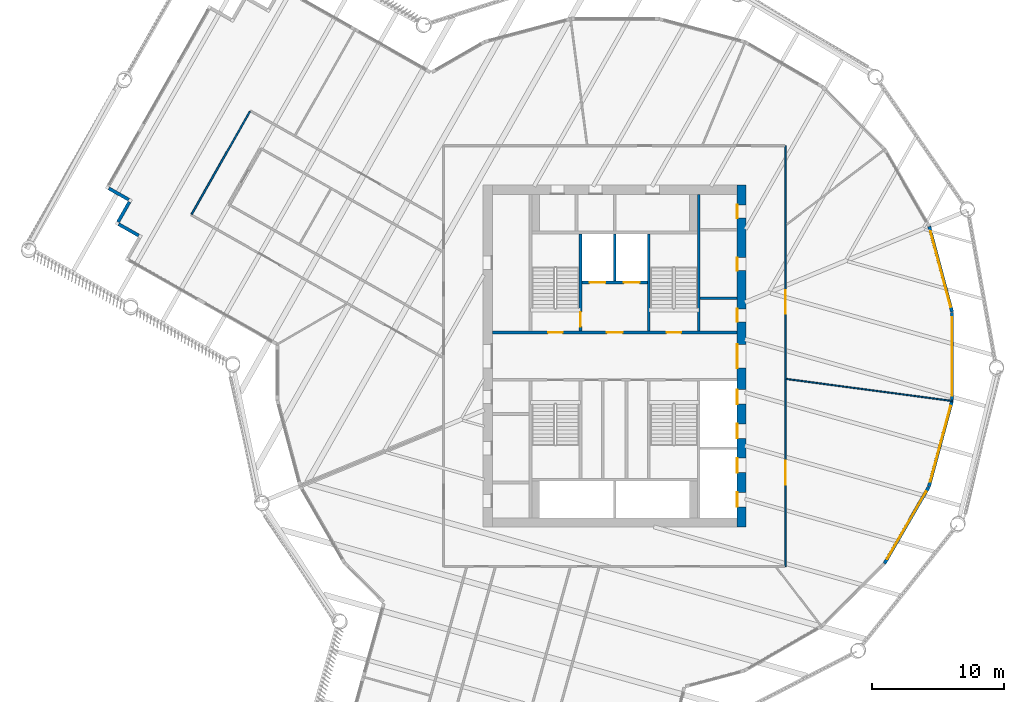
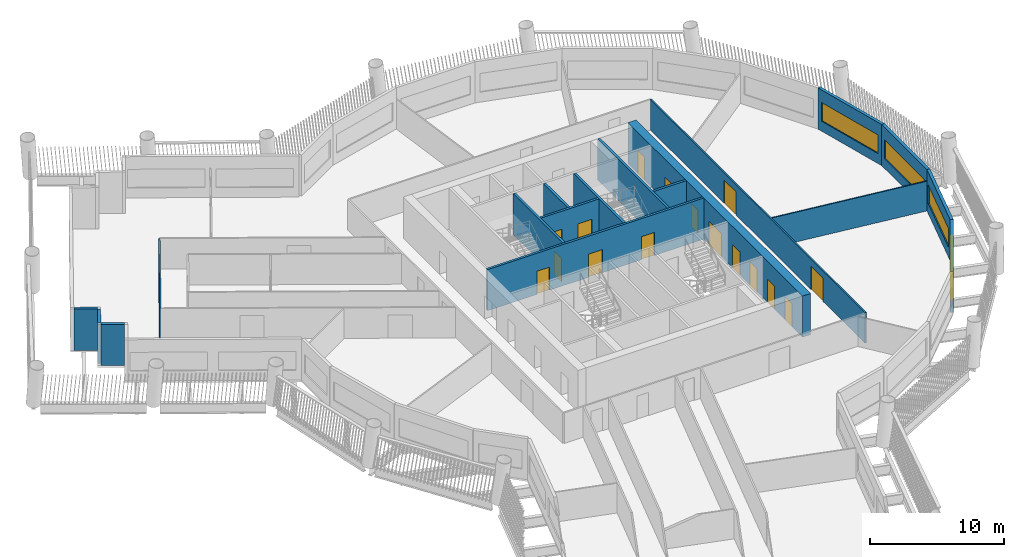
# One storey, part 5 of 15: 18 walls, 16 doors, 4 windows, 20 openings.
"""IFC4 building model written with IfcOpenShell, lengths in metres."""

from ifc_helpers import new_model, si_unit, direction, frame, frame_2d, origin, place, context, subcontext, project, spatial, rectangle, extrude, material, layer, layer_set, type_object, element, fill, save


model = new_model("IFC4")

# Units and contexts
model_context = context("Model", 3, precision=1e-05, world=origin(), true_north=direction((0.0, 1.0)))
body_context = subcontext(model_context, "Body", "Model", "MODEL_VIEW")
ifc_project = project(units=[si_unit("LENGTHUNIT", "METRE"), si_unit("AREAUNIT", "SQUARE_METRE"), si_unit("VOLUMEUNIT", "CUBIC_METRE"), si_unit("PLANEANGLEUNIT", "RADIAN"), si_unit("MASSUNIT", "GRAM", prefix="KILO")], contexts=[model_context])

# Site, building, storey
site_placement = place(None, origin())
site = spatial("IfcSite", under=ifc_project, at=site_placement, CompositionType="ELEMENT")
building_placement = place(site_placement, origin())
building = spatial("IfcBuilding", under=site, at=building_placement, Name="Tarsis Ring Headquarters", CompositionType="ELEMENT")
storey_placement = place(building_placement, frame((0.0, 0.0, 159.300048828125)))
storey = spatial("IfcBuildingStorey", under=building, at=storey_placement, Name="L36", CompositionType="ELEMENT", Elevation=159.300048828125)

# Wall
ifc_material_1 = material(Name="Blockwork", Category="masonry")
ifc_layer_1 = layer(ifc_material_1, 0.199951171875)
ifc_layer_set_1 = layer_set([ifc_layer_1], Name="Core blockwork wall 200")
wall_type_1 = type_object("IfcWallType", Name="Core blockwork wall 200", PredefinedType="PARTITIONING", material=ifc_layer_set_1)
wall_1_placement = place(storey_placement, frame((6.5, 4.39990234375, 0.0), z_axis=(0.0, 0.0, 1.0), x_axis=(1.0, 0.0, 0.0)))
element("IfcWall", 1, at=wall_1_placement, inside=storey, type_object=wall_type_1, Name="Core partition ED5", PredefinedType="PARTITIONING", context=body_context, shape_type="SweptSolid", body=[
    extrude(rectangle(XDim=2.800048828125, YDim=0.199951171875, at=frame_2d((1.39990234375, 0.0))), origin(), (0.0, 0.0, 1.0), 3.739990234375),
])

# Wall, openings, doors
ifc_material_2 = material(Name="Concrete C60/75", Category="concrete")
ifc_layer_2 = layer(ifc_material_2, 0.699951171875)
ifc_layer_set_2 = layer_set([ifc_layer_2], Name="Core wall 700 C60/75")
wall_type_2 = type_object("IfcWallType", Name="Core wall 700 C60/75", PredefinedType="SHEAR", material=ifc_layer_set_2)
wall_2_placement = place(storey_placement, frame((9.64990234375, -13.0, 0.0), z_axis=(0.0, 0.0, 1.0), x_axis=(0.0, 1.0, 0.0)))
wall_2 = element("IfcWall", 2, at=wall_2_placement, inside=storey, type_object=wall_type_2, Name="Core wall OE", PredefinedType="SHEAR", context=body_context, shape_type="SweptSolid", body=[
    extrude(rectangle(XDim=26.0, YDim=0.699951171875, at=frame_2d((13.0, 0.0))), origin(), (0.0, 0.0, 1.0), 3.739990234375),
])
opening_1_placement = place(wall_2_placement, frame((1.550048828125, 0.0, 0.0)))
opening_1 = element("IfcOpeningElement", 3, at=opening_1_placement, cuts=wall_2, Name="Opening LD-MR1", PredefinedType="OPENING", context=body_context, shape_type="SweptSolid", body=[
    extrude(rectangle(XDim=1.10009765625, YDim=2.10009765625, at=frame_2d((0.550048828125, 1.050048828125))), frame((0.0, 0.35986328125, 0.0), z_axis=(0.0, -1.0, 0.0), x_axis=(1.0, 0.0, 0.0)), (0.0, 0.0, 1.0), 0.719970703125),
])
opening_2_placement = place(wall_2_placement, frame((4.14990234375, 0.0, 0.0)))
opening_2 = element("IfcOpeningElement", 4, at=opening_2_placement, cuts=wall_2, Name="Opening LD-MR2", PredefinedType="OPENING", context=body_context, shape_type="SweptSolid", body=[
    extrude(rectangle(XDim=1.10009765625, YDim=2.10009765625, at=frame_2d((0.550048828125, 1.050048828125))), frame((0.0, 0.35986328125, 0.0), z_axis=(0.0, -1.0, 0.0), x_axis=(1.0, 0.0, 0.0)), (0.0, 0.0, 1.0), 0.719970703125),
])
opening_3_placement = place(wall_2_placement, frame((6.75, 0.0, 0.0)))
opening_3 = element("IfcOpeningElement", 5, at=opening_3_placement, cuts=wall_2, Name="Opening LD-MR3", PredefinedType="OPENING", context=body_context, shape_type="SweptSolid", body=[
    extrude(rectangle(XDim=1.10009765625, YDim=2.10009765625, at=frame_2d((0.550048828125, 1.050048828125))), frame((0.0, 0.35986328125, 0.0), z_axis=(0.0, -1.0, 0.0), x_axis=(1.0, 0.0, 0.0)), (0.0, 0.0, 1.0), 0.719970703125),
])
opening_4_placement = place(wall_2_placement, frame((9.35009765625, 0.0, 0.0)))
opening_4 = element("IfcOpeningElement", 6, at=opening_4_placement, cuts=wall_2, Name="Opening LD-MR4", PredefinedType="OPENING", context=body_context, shape_type="SweptSolid", body=[
    extrude(rectangle(XDim=1.10009765625, YDim=2.10009765625, at=frame_2d((0.550048828125, 1.050048828125))), frame((0.0, 0.35986328125, 0.0), z_axis=(0.0, -1.0, 0.0), x_axis=(1.0, 0.0, 0.0)), (0.0, 0.0, 1.0), 0.719970703125),
])
opening_5_placement = place(wall_2_placement, frame((12.10009765625, 0.0, 0.0)))
opening_5 = element("IfcOpeningElement", 7, at=opening_5_placement, cuts=wall_2, Name="Opening L36-C10", PredefinedType="OPENING", context=body_context, shape_type="SweptSolid", body=[
    extrude(rectangle(XDim=1.800048828125, YDim=2.10009765625, at=frame_2d((0.89990234375, 1.050048828125))), frame((0.0, 0.35986328125, 0.0), z_axis=(0.0, -1.0, 0.0), x_axis=(1.0, 0.0, 0.0)), (0.0, 0.0, 1.0), 0.719970703125),
])
opening_6_placement = place(wall_2_placement, frame((15.60009765625, 0.0, 0.0)))
opening_6 = element("IfcOpeningElement", 8, at=opening_6_placement, cuts=wall_2, Name="Opening L36-C11", PredefinedType="OPENING", context=body_context, shape_type="SweptSolid", body=[
    extrude(rectangle(XDim=1.0, YDim=2.10009765625, at=frame_2d((0.5, 1.050048828125))), frame((0.0, 0.35986328125, 0.0), z_axis=(0.0, -1.0, 0.0), x_axis=(1.0, 0.0, 0.0)), (0.0, 0.0, 1.0), 0.719970703125),
])
opening_7_placement = place(wall_2_placement, frame((19.5, 0.0, 0.0)))
opening_7 = element("IfcOpeningElement", 9, at=opening_7_placement, cuts=wall_2, Name="Opening L36-C12", PredefinedType="OPENING", context=body_context, shape_type="SweptSolid", body=[
    extrude(rectangle(XDim=1.0, YDim=2.10009765625, at=frame_2d((0.5, 1.050048828125))), frame((0.0, 0.35986328125, 0.0), z_axis=(0.0, -1.0, 0.0), x_axis=(1.0, 0.0, 0.0)), (0.0, 0.0, 1.0), 0.719970703125),
])
opening_8_placement = place(wall_2_placement, frame((23.5, 0.0, 0.0)))
opening_8 = element("IfcOpeningElement", 10, at=opening_8_placement, cuts=wall_2, Name="Opening L36-C13", PredefinedType="OPENING", context=body_context, shape_type="SweptSolid", body=[
    extrude(rectangle(XDim=1.0, YDim=2.10009765625, at=frame_2d((0.5, 1.050048828125))), frame((0.0, 0.35986328125, 0.0), z_axis=(0.0, -1.0, 0.0), x_axis=(1.0, 0.0, 0.0)), (0.0, 0.0, 1.0), 0.719970703125),
])
ifc_material_3 = material(Name="Steel S355", Category="steel")
door_type_1 = type_object("IfcDoorType", Name="Core entry door 1800x2100", OperationType="DOUBLE_DOOR_SINGLE_SWING", PredefinedType="DOOR", material=ifc_material_3)
door_1_placement = place(opening_5_placement, origin())
door_1 = element("IfcDoor", 11, at=door_1_placement, inside=storey, type_object=door_type_1, Name="Core entry door L36", OperationType="DOUBLE_DOOR_SINGLE_SWING", OverallHeight=2.10009765625, OverallWidth=1.800048828125, PredefinedType="DOOR", context=body_context, shape_type="SweptSolid", body=[
    extrude(rectangle(XDim=1.800048828125, YDim=2.10009765625, at=frame_2d((0.89990234375, 1.050048828125))), frame((0.0, 0.35009765625, 0.0), z_axis=(0.0, -1.0, 0.0), x_axis=(1.0, 0.0, 0.0)), (0.0, 0.0, 1.0), 0.050048828125),
])
fill(opening_5, door_1)
door_type_2 = type_object("IfcDoorType", Name="Core room door 1000x2100", OperationType="SINGLE_SWING_LEFT", PredefinedType="DOOR", material=ifc_material_3)
door_2_placement = place(opening_6_placement, origin())
door_2 = element("IfcDoor", 12, at=door_2_placement, inside=storey, type_object=door_type_2, Name="Core room door L36", OperationType="SINGLE_SWING_LEFT", OverallHeight=2.10009765625, OverallWidth=1.0, PredefinedType="DOOR", context=body_context, shape_type="SweptSolid", body=[
    extrude(rectangle(XDim=1.0, YDim=2.10009765625, at=frame_2d((0.5, 1.050048828125))), frame((0.0, 0.35009765625, 0.0), z_axis=(0.0, -1.0, 0.0), x_axis=(1.0, 0.0, 0.0)), (0.0, 0.0, 1.0), 0.050048828125),
])
fill(opening_6, door_2)
door_3_placement = place(opening_7_placement, origin())
door_3 = element("IfcDoor", 13, at=door_3_placement, inside=storey, type_object=door_type_2, Name="Core room door L36", OperationType="SINGLE_SWING_LEFT", OverallHeight=2.10009765625, OverallWidth=1.0, PredefinedType="DOOR", context=body_context, shape_type="SweptSolid", body=[
    extrude(rectangle(XDim=1.0, YDim=2.10009765625, at=frame_2d((0.5, 1.050048828125))), frame((0.0, 0.35009765625, 0.0), z_axis=(0.0, -1.0, 0.0), x_axis=(1.0, 0.0, 0.0)), (0.0, 0.0, 1.0), 0.050048828125),
])
fill(opening_7, door_3)
door_4_placement = place(opening_8_placement, origin())
door_4 = element("IfcDoor", 14, at=door_4_placement, inside=storey, type_object=door_type_2, Name="Core room door L36", OperationType="SINGLE_SWING_LEFT", OverallHeight=2.10009765625, OverallWidth=1.0, PredefinedType="DOOR", context=body_context, shape_type="SweptSolid", body=[
    extrude(rectangle(XDim=1.0, YDim=2.10009765625, at=frame_2d((0.5, 1.050048828125))), frame((0.0, 0.35009765625, 0.0), z_axis=(0.0, -1.0, 0.0), x_axis=(1.0, 0.0, 0.0)), (0.0, 0.0, 1.0), 0.050048828125),
])
fill(opening_8, door_4)
door_type_3 = type_object("IfcDoorType", Name="Landing door 1100x2100", OperationType="SLIDING_TO_LEFT", PredefinedType="DOOR", material=ifc_material_3)
door_5_placement = place(opening_1_placement, origin())
door_5 = element("IfcDoor", 15, at=door_5_placement, inside=storey, type_object=door_type_3, Name="Landing door MR1 L36", OperationType="SLIDING_TO_LEFT", OverallHeight=2.10009765625, OverallWidth=1.10009765625, PredefinedType="DOOR", context=body_context, shape_type="SweptSolid", body=[
    extrude(rectangle(XDim=1.10009765625, YDim=2.10009765625, at=frame_2d((0.550048828125, 1.050048828125))), frame((0.0, 0.35009765625, 0.0), z_axis=(0.0, -1.0, 0.0), x_axis=(1.0, 0.0, 0.0)), (0.0, 0.0, 1.0), 0.050048828125),
])
fill(opening_1, door_5)
door_6_placement = place(opening_2_placement, origin())
door_6 = element("IfcDoor", 16, at=door_6_placement, inside=storey, type_object=door_type_3, Name="Landing door MR2 L36", OperationType="SLIDING_TO_LEFT", OverallHeight=2.10009765625, OverallWidth=1.10009765625, PredefinedType="DOOR", context=body_context, shape_type="SweptSolid", body=[
    extrude(rectangle(XDim=1.10009765625, YDim=2.10009765625, at=frame_2d((0.550048828125, 1.050048828125))), frame((0.0, 0.35009765625, 0.0), z_axis=(0.0, -1.0, 0.0), x_axis=(1.0, 0.0, 0.0)), (0.0, 0.0, 1.0), 0.050048828125),
])
fill(opening_2, door_6)
door_7_placement = place(opening_3_placement, origin())
door_7 = element("IfcDoor", 17, at=door_7_placement, inside=storey, type_object=door_type_3, Name="Landing door MR3 L36", OperationType="SLIDING_TO_LEFT", OverallHeight=2.10009765625, OverallWidth=1.10009765625, PredefinedType="DOOR", context=body_context, shape_type="SweptSolid", body=[
    extrude(rectangle(XDim=1.10009765625, YDim=2.10009765625, at=frame_2d((0.550048828125, 1.050048828125))), frame((0.0, 0.35009765625, 0.0), z_axis=(0.0, -1.0, 0.0), x_axis=(1.0, 0.0, 0.0)), (0.0, 0.0, 1.0), 0.050048828125),
])
fill(opening_3, door_7)
door_8_placement = place(opening_4_placement, origin())
door_8 = element("IfcDoor", 18, at=door_8_placement, inside=storey, type_object=door_type_3, Name="Landing door MR4 L36", OperationType="SLIDING_TO_LEFT", OverallHeight=2.10009765625, OverallWidth=1.10009765625, PredefinedType="DOOR", context=body_context, shape_type="SweptSolid", body=[
    extrude(rectangle(XDim=1.10009765625, YDim=2.10009765625, at=frame_2d((0.550048828125, 1.050048828125))), frame((0.0, 0.35009765625, 0.0), z_axis=(0.0, -1.0, 0.0), x_axis=(1.0, 0.0, 0.0)), (0.0, 0.0, 1.0), 0.050048828125),
])
fill(opening_4, door_8)

# Wall
ifc_material_4 = material(Name="Gypsum board on steel studs", Category="steel")
ifc_layer_3 = layer(ifc_material_4, 0.10009765625)
ifc_layer_set_3 = layer_set([ifc_layer_3], Name="FL partition 100 unrated")
wall_type_3 = type_object("IfcWallType", Name="FL partition 100 unrated", PredefinedType="PARTITIONING", material=ifc_layer_set_3)
wall_3_placement = place(storey_placement, frame((13.0693359375, -1.734619140625, 0.0), z_axis=(0.0, 0.0, 1.0), x_axis=(0.991308567553, -0.131557302711, 0.0)))
element("IfcWall", 19, at=wall_3_placement, inside=storey, type_object=wall_type_3, Name="Partition PW3", PredefinedType="PARTITIONING", context=body_context, shape_type="SweptSolid", body=[
    extrude(rectangle(XDim=12.763916015625, YDim=0.10009765625, at=frame_2d((6.3818359375, 0.0))), origin(), (0.0, 0.0, 1.0), 2.699951171875),
])

# Wall, openings, doors
ifc_layer_4 = layer(ifc_material_4, 0.125)
ifc_layer_set_4 = layer_set([ifc_layer_4], Name="FL partition 125 EI 60 H2770")
wall_type_4 = type_object("IfcWallType", Name="FL partition 125 EI 60 H2770", PredefinedType="PARTITIONING", material=ifc_layer_set_4)
wall_4_placement = place(storey_placement, frame((13.0, -16.0, 0.0), z_axis=(0.0, 0.0, 1.0), x_axis=(0.0, 1.0, 0.0)))
wall_4 = element("IfcWall", 20, at=wall_4_placement, inside=storey, type_object=wall_type_4, Name="Partition PW1", PredefinedType="PARTITIONING", context=body_context, shape_type="SweptSolid", body=[
    extrude(rectangle(XDim=32.0, YDim=0.125, at=frame_2d((16.0, 0.0))), origin(), (0.0, 0.0, 1.0), 2.77001953125),
])
opening_9_placement = place(wall_4_placement, frame((19.214111328125, 0.0, 0.0)))
opening_9 = element("IfcOpeningElement", 21, at=opening_9_placement, cuts=wall_4, Name="Opening D36.05", PredefinedType="OPENING", context=body_context, shape_type="SweptSolid", body=[
    extrude(rectangle(XDim=1.800048828125, YDim=2.10009765625, at=frame_2d((0.89990234375, 1.050048828125))), frame((0.0, 0.072509765625, 0.0), z_axis=(0.0, -1.0, 0.0), x_axis=(1.0, 0.0, 0.0)), (0.0, 0.0, 1.0), 0.14501953125),
])
opening_10_placement = place(wall_4_placement, frame((6.2373046875, 0.0, 0.0)))
opening_10 = element("IfcOpeningElement", 22, at=opening_10_placement, cuts=wall_4, Name="Opening D36.06", PredefinedType="OPENING", context=body_context, shape_type="SweptSolid", body=[
    extrude(rectangle(XDim=1.800048828125, YDim=2.10009765625, at=frame_2d((0.89990234375, 1.050048828125))), frame((0.0, 0.072509765625, 0.0), z_axis=(0.0, -1.0, 0.0), x_axis=(1.0, 0.0, 0.0)), (0.0, 0.0, 1.0), 0.14501953125),
])
ifc_material_5 = material(Name="Fire-rated timber door leaf in steel frame", Category="steel")
door_type_4 = type_object("IfcDoorType", Name="FL door FD60-1800", OperationType="DOUBLE_DOOR_SINGLE_SWING", PredefinedType="DOOR", material=ifc_material_5)
door_9_placement = place(opening_9_placement, origin())
door_9 = element("IfcDoor", 23, at=door_9_placement, inside=storey, type_object=door_type_4, Name="Door D36.05", OperationType="DOUBLE_DOOR_SINGLE_SWING", OverallHeight=2.10009765625, OverallWidth=1.800048828125, PredefinedType="DOOR", context=body_context, shape_type="SweptSolid", body=[
    extrude(rectangle(XDim=1.800048828125, YDim=2.10009765625, at=frame_2d((0.89990234375, 1.050048828125))), frame((0.0, 0.02490234375, 0.0), z_axis=(0.0, -1.0, 0.0), x_axis=(1.0, 0.0, 0.0)), (0.0, 0.0, 1.0), 0.050048828125),
])
fill(opening_9, door_9)
door_10_placement = place(opening_10_placement, origin())
door_10 = element("IfcDoor", 24, at=door_10_placement, inside=storey, type_object=door_type_4, Name="Door D36.06", OperationType="DOUBLE_DOOR_SINGLE_SWING", OverallHeight=2.10009765625, OverallWidth=1.800048828125, PredefinedType="DOOR", context=body_context, shape_type="SweptSolid", body=[
    extrude(rectangle(XDim=1.800048828125, YDim=2.10009765625, at=frame_2d((0.89990234375, 1.050048828125))), frame((0.0, 0.02490234375, 0.0), z_axis=(0.0, -1.0, 0.0), x_axis=(1.0, 0.0, 0.0)), (0.0, 0.0, 1.0), 0.050048828125),
])
fill(opening_10, door_10)

# Wall
wall_5_placement = place(storey_placement, frame((-32.16259765625, 10.79150390625, 0.0), z_axis=(0.0, 0.0, 1.0), x_axis=(0.493343175819, 0.869834760672, 0.0)))
element("IfcWall", 25, at=wall_5_placement, inside=storey, type_object=wall_type_4, Name="Partition PW1", PredefinedType="PARTITIONING", context=body_context, shape_type="SweptSolid", body=[
    extrude(rectangle(XDim=8.97998046875, YDim=0.125, at=frame_2d((4.489990234375, 0.0))), origin(), (0.0, 0.0, 1.0), 2.77001953125),
])

# Wall, opening, window
ifc_material_6 = material(Name="Terracotta clad insulated panel wall", Category="masonry")
ifc_layer_5 = layer(ifc_material_6, 0.25)
ifc_layer_set_5 = layer_set([ifc_layer_5], Name="Facade wall terracotta panel 250")
wall_type_5 = type_object("IfcWallType", Name="Facade wall terracotta panel 250", PredefinedType="STANDARD", material=ifc_layer_set_5)
wall_6_placement = place(storey_placement, frame((20.518798828125, -15.75830078125, 0.0), z_axis=(0.0, 0.0, 1.0), x_axis=(0.500907407171, 0.865500877782, 0.0)))
wall_6 = element("IfcWall", 26, at=wall_6_placement, inside=storey, type_object=wall_type_5, Name="External wall L36-20", PredefinedType="STANDARD", context=body_context, shape_type="SweptSolid", body=[
    extrude(rectangle(XDim=6.7216796875, YDim=0.25, at=frame_2d((3.36083984375, 0.0))), origin(), (0.0, 0.0, 1.0), 3.739990234375),
])
opening_11_placement = place(wall_6_placement, frame((0.3857421875, 0.0, 0.89990234375)))
opening_11 = element("IfcOpeningElement", 27, at=opening_11_placement, cuts=wall_6, Name="Opening WN07", PredefinedType="OPENING", context=body_context, shape_type="SweptSolid", body=[
    extrude(rectangle(XDim=5.949951171875, YDim=1.699951171875, at=frame_2d((2.97509765625, 0.85009765625))), frame((0.0, 0.135009765625, 0.0), z_axis=(0.0, -1.0, 0.0), x_axis=(1.0, 0.0, 0.0)), (0.0, 0.0, 1.0), 0.27001953125),
])
ifc_material_7 = material(Name="Aluminium framed double glazing", Category="aluminium")
window_type = type_object("IfcWindowType", Name="Facade window 5950 x 1700", PartitioningType="SINGLE_PANEL", PredefinedType="WINDOW", material=ifc_material_7)
window_1_placement = place(opening_11_placement, origin())
window_1 = element("IfcWindow", 28, at=window_1_placement, inside=storey, type_object=window_type, Name="Window L36-20.1", OverallHeight=1.699951171875, OverallWidth=5.949951171875, PartitioningType="SINGLE_PANEL", PredefinedType="WINDOW", context=body_context, shape_type="SweptSolid", body=[
    extrude(rectangle(XDim=5.949951171875, YDim=1.699951171875, at=frame_2d((2.97509765625, 0.85009765625))), frame((0.0, 0.030029296875, 0.0), z_axis=(0.0, -1.0, 0.0), x_axis=(1.0, 0.0, 0.0)), (0.0, 0.0, 1.0), 0.06005859375),
])
fill(opening_11, window_1)

wall_7_placement = place(storey_placement, frame((23.898193359375, -9.91064453125, 0.0), z_axis=(0.0, 0.0, 1.0), x_axis=(0.259845819002, 0.965650117976, 0.0)))
wall_7 = element("IfcWall", 29, at=wall_7_placement, inside=storey, type_object=wall_type_5, Name="External wall L36-21", PredefinedType="STANDARD", context=body_context, shape_type="SweptSolid", body=[
    extrude(rectangle(XDim=6.7216796875, YDim=0.25, at=frame_2d((3.36083984375, 0.0))), origin(), (0.0, 0.0, 1.0), 3.739990234375),
])
opening_12_placement = place(wall_7_placement, frame((0.3857421875, 0.0, 0.89990234375)))
opening_12 = element("IfcOpeningElement", 30, at=opening_12_placement, cuts=wall_7, Name="Opening WN07", PredefinedType="OPENING", context=body_context, shape_type="SweptSolid", body=[
    extrude(rectangle(XDim=5.949951171875, YDim=1.699951171875, at=frame_2d((2.97509765625, 0.85009765625))), frame((0.0, 0.135009765625, 0.0), z_axis=(0.0, -1.0, 0.0), x_axis=(1.0, 0.0, 0.0)), (0.0, 0.0, 1.0), 0.27001953125),
])
window_2_placement = place(opening_12_placement, origin())
window_2 = element("IfcWindow", 31, at=window_2_placement, inside=storey, type_object=window_type, Name="Window L36-21.1", OverallHeight=1.699951171875, OverallWidth=5.949951171875, PartitioningType="SINGLE_PANEL", PredefinedType="WINDOW", context=body_context, shape_type="SweptSolid", body=[
    extrude(rectangle(XDim=5.949951171875, YDim=1.699951171875, at=frame_2d((2.97509765625, 0.85009765625))), frame((0.0, 0.030029296875, 0.0), z_axis=(0.0, -1.0, 0.0), x_axis=(1.0, 0.0, 0.0)), (0.0, 0.0, 1.0), 0.06005859375),
])
fill(opening_12, window_2)

wall_8_placement = place(storey_placement, frame((25.64892578125, -3.3876953125, 0.0), z_axis=(0.0, 0.0, 1.0), x_axis=(0.001053319189, 0.999999445259, 0.0)))
wall_8 = element("IfcWall", 32, at=wall_8_placement, inside=storey, type_object=wall_type_5, Name="External wall L36-22", PredefinedType="STANDARD", context=body_context, shape_type="SweptSolid", body=[
    extrude(rectangle(XDim=6.7216796875, YDim=0.25, at=frame_2d((3.36083984375, 0.0))), origin(), (0.0, 0.0, 1.0), 3.739990234375),
])
opening_13_placement = place(wall_8_placement, frame((0.3857421875, 0.0, 0.89990234375)))
opening_13 = element("IfcOpeningElement", 33, at=opening_13_placement, cuts=wall_8, Name="Opening WN07", PredefinedType="OPENING", context=body_context, shape_type="SweptSolid", body=[
    extrude(rectangle(XDim=5.949951171875, YDim=1.699951171875, at=frame_2d((2.97509765625, 0.85009765625))), frame((0.0, 0.135009765625, 0.0), z_axis=(0.0, -1.0, 0.0), x_axis=(1.0, 0.0, 0.0)), (0.0, 0.0, 1.0), 0.27001953125),
])
window_3_placement = place(opening_13_placement, origin())
window_3 = element("IfcWindow", 34, at=window_3_placement, inside=storey, type_object=window_type, Name="Window L36-22.1", OverallHeight=1.699951171875, OverallWidth=5.949951171875, PartitioningType="SINGLE_PANEL", PredefinedType="WINDOW", context=body_context, shape_type="SweptSolid", body=[
    extrude(rectangle(XDim=5.949951171875, YDim=1.699951171875, at=frame_2d((2.97509765625, 0.85009765625))), frame((0.0, 0.030029296875, 0.0), z_axis=(0.0, -1.0, 0.0), x_axis=(1.0, 0.0, 0.0)), (0.0, 0.0, 1.0), 0.06005859375),
])
fill(opening_13, window_3)

wall_9_placement = place(storey_placement, frame((25.65185546875, 3.3662109375, 0.0), z_axis=(0.0, 0.0, 1.0), x_axis=(-0.257811853059, 0.966195139929, 0.0)))
wall_9 = element("IfcWall", 35, at=wall_9_placement, inside=storey, type_object=wall_type_5, Name="External wall L36-23", PredefinedType="STANDARD", context=body_context, shape_type="SweptSolid", body=[
    extrude(rectangle(XDim=6.7216796875, YDim=0.25, at=frame_2d((3.36083984375, 0.0))), origin(), (0.0, 0.0, 1.0), 3.739990234375),
])
opening_14_placement = place(wall_9_placement, frame((0.3857421875, 0.0, 0.89990234375)))
opening_14 = element("IfcOpeningElement", 36, at=opening_14_placement, cuts=wall_9, Name="Opening WN07", PredefinedType="OPENING", context=body_context, shape_type="SweptSolid", body=[
    extrude(rectangle(XDim=5.949951171875, YDim=1.699951171875, at=frame_2d((2.97509765625, 0.85009765625))), frame((0.0, 0.135009765625, 0.0), z_axis=(0.0, -1.0, 0.0), x_axis=(1.0, 0.0, 0.0)), (0.0, 0.0, 1.0), 0.27001953125),
])
window_4_placement = place(opening_14_placement, origin())
window_4 = element("IfcWindow", 37, at=window_4_placement, inside=storey, type_object=window_type, Name="Window L36-23.1", OverallHeight=1.699951171875, OverallWidth=5.949951171875, PartitioningType="SINGLE_PANEL", PredefinedType="WINDOW", context=body_context, shape_type="SweptSolid", body=[
    extrude(rectangle(XDim=5.949951171875, YDim=1.699951171875, at=frame_2d((2.97509765625, 0.85009765625))), frame((0.0, 0.030029296875, 0.0), z_axis=(0.0, -1.0, 0.0), x_axis=(1.0, 0.0, 0.0)), (0.0, 0.0, 1.0), 0.06005859375),
])
fill(opening_14, window_4)

# Walls
for number, where, z_axis, x_axis, name in (
    (38, (-38.461181640625, 12.760009765625, 0.0), (0.0, 0.0, 1.0), (0.869852585415, -0.493311746917, 0.0), "External wall L36-37"),
    (39, (-36.891845703125, 11.726318359375, 0.0), (0.0, 0.0, 1.0), (-0.493311746917, -0.869852585415, 0.0), "External wall L36-38"),
    (40, (-37.7080078125, 10.03369140625, 0.0), (0.0, 0.0, 1.0), (0.869852585415, -0.493311746917, 0.0), "External wall L36-39"),
):
    element("IfcWall", number, at=place(storey_placement, frame(where, z_axis=z_axis, x_axis=x_axis)), inside=storey, type_object=wall_type_5, Name=name, PredefinedType="STANDARD", context=body_context, shape_type="SweptSolid", body=[
        extrude(rectangle(XDim=1.75, YDim=0.25, at=frame_2d((0.875, 0.0))), origin(), (0.0, 0.0, 1.0), 3.739990234375),
    ])

# Wall, openings, doors
ifc_material_8 = material(Name="Concrete C32/40", Category="concrete")
ifc_layer_6 = layer(ifc_material_8, 0.199951171875)
ifc_layer_set_6 = layer_set([ifc_layer_6], Name="Shaft wall 200 C32/40")
wall_type_6 = type_object("IfcWallType", Name="Shaft wall 200 C32/40", PredefinedType="SOLIDWALL", material=ifc_layer_set_6)
wall_10_placement = place(storey_placement, frame((-9.300048828125, 1.800048828125, 0.0), z_axis=(0.0, 0.0, 1.0), x_axis=(1.0, 0.0, 0.0)))
wall_10 = element("IfcWall", 41, at=wall_10_placement, inside=storey, type_object=wall_type_6, Name="Core shaft wall CN", PredefinedType="SOLIDWALL", context=body_context, shape_type="SweptSolid", body=[
    extrude(rectangle(XDim=18.60009765625, YDim=0.199951171875, at=frame_2d((9.300048828125, 0.0))), origin(), (0.0, 0.0, 1.0), 3.739990234375),
])
opening_15_placement = place(wall_10_placement, frame((4.25, 0.0, 0.0)))
opening_15 = element("IfcOpeningElement", 42, at=opening_15_placement, cuts=wall_10, Name="Opening L36-C17", PredefinedType="OPENING", context=body_context, shape_type="SweptSolid", body=[
    extrude(rectangle(XDim=1.10009765625, YDim=2.10009765625, at=frame_2d((0.550048828125, 1.050048828125))), frame((0.0, 0.10986328125, 0.0), z_axis=(0.0, -1.0, 0.0), x_axis=(1.0, 0.0, 0.0)), (0.0, 0.0, 1.0), 0.219970703125),
])
opening_16_placement = place(wall_10_placement, frame((8.699951171875, 0.0, 0.0)))
opening_16 = element("IfcOpeningElement", 43, at=opening_16_placement, cuts=wall_10, Name="Opening L36-C18", PredefinedType="OPENING", context=body_context, shape_type="SweptSolid", body=[
    extrude(rectangle(XDim=1.199951171875, YDim=2.10009765625, at=frame_2d((0.60009765625, 1.050048828125))), frame((0.0, 0.10986328125, 0.0), z_axis=(0.0, -1.0, 0.0), x_axis=(1.0, 0.0, 0.0)), (0.0, 0.0, 1.0), 0.219970703125),
])
opening_17_placement = place(wall_10_placement, frame((13.25, 0.0, 0.0)))
opening_17 = element("IfcOpeningElement", 44, at=opening_17_placement, cuts=wall_10, Name="Opening L36-C19", PredefinedType="OPENING", context=body_context, shape_type="SweptSolid", body=[
    extrude(rectangle(XDim=1.10009765625, YDim=2.10009765625, at=frame_2d((0.550048828125, 1.050048828125))), frame((0.0, 0.10986328125, 0.0), z_axis=(0.0, -1.0, 0.0), x_axis=(1.0, 0.0, 0.0)), (0.0, 0.0, 1.0), 0.219970703125),
])
door_type_5 = type_object("IfcDoorType", Name="Firefighting lobby door 1200x2100", OperationType="DOUBLE_DOOR_SINGLE_SWING", PredefinedType="DOOR", material=ifc_material_3)
door_11_placement = place(opening_16_placement, origin())
door_11 = element("IfcDoor", 45, at=door_11_placement, inside=storey, type_object=door_type_5, Name="Firefighting lobby door L36", OperationType="DOUBLE_DOOR_SINGLE_SWING", OverallHeight=2.10009765625, OverallWidth=1.199951171875, PredefinedType="DOOR", context=body_context, shape_type="SweptSolid", body=[
    extrude(rectangle(XDim=1.199951171875, YDim=2.10009765625, at=frame_2d((0.60009765625, 1.050048828125))), frame((0.0, 0.02490234375, 0.0), z_axis=(0.0, -1.0, 0.0), x_axis=(1.0, 0.0, 0.0)), (0.0, 0.0, 1.0), 0.050048828125),
])
fill(opening_16, door_11)
door_type_6 = type_object("IfcDoorType", Name="Stair door 1100x2100", OperationType="SINGLE_SWING_LEFT", PredefinedType="DOOR", material=ifc_material_3)
door_12_placement = place(opening_15_placement, origin())
door_12 = element("IfcDoor", 46, at=door_12_placement, inside=storey, type_object=door_type_6, Name="Stair door L36", OperationType="SINGLE_SWING_LEFT", OverallHeight=2.10009765625, OverallWidth=1.10009765625, PredefinedType="DOOR", context=body_context, shape_type="SweptSolid", body=[
    extrude(rectangle(XDim=1.10009765625, YDim=2.10009765625, at=frame_2d((0.550048828125, 1.050048828125))), frame((0.0, 0.02490234375, 0.0), z_axis=(0.0, -1.0, 0.0), x_axis=(1.0, 0.0, 0.0)), (0.0, 0.0, 1.0), 0.050048828125),
])
fill(opening_15, door_12)
door_13_placement = place(opening_17_placement, origin())
door_13 = element("IfcDoor", 47, at=door_13_placement, inside=storey, type_object=door_type_6, Name="Stair door L36", OperationType="SINGLE_SWING_LEFT", OverallHeight=2.10009765625, OverallWidth=1.10009765625, PredefinedType="DOOR", context=body_context, shape_type="SweptSolid", body=[
    extrude(rectangle(XDim=1.10009765625, YDim=2.10009765625, at=frame_2d((0.550048828125, 1.050048828125))), frame((0.0, 0.02490234375, 0.0), z_axis=(0.0, -1.0, 0.0), x_axis=(1.0, 0.0, 0.0)), (0.0, 0.0, 1.0), 0.050048828125),
])
fill(opening_17, door_13)

# Wall
wall_11_placement = place(storey_placement, frame((6.39990234375, 1.89990234375, 0.0), z_axis=(0.0, 0.0, 1.0), x_axis=(0.0, 1.0, 0.0)))
element("IfcWall", 48, at=wall_11_placement, inside=storey, type_object=wall_type_6, Name="Core shaft wall EB2", PredefinedType="SOLIDWALL", context=body_context, shape_type="SweptSolid", body=[
    extrude(rectangle(XDim=10.400146484375, YDim=0.199951171875, at=frame_2d((5.2001953125, 0.0))), origin(), (0.0, 0.0, 1.0), 3.739990234375),
])

# Wall, opening, door
wall_12_placement = place(storey_placement, frame((-2.60009765625, 1.89990234375, 0.0), z_axis=(0.0, 0.0, 1.0), x_axis=(0.0, 1.0, 0.0)))
wall_12 = element("IfcWall", 49, at=wall_12_placement, inside=storey, type_object=wall_type_6, Name="Core shaft wall SW1", PredefinedType="SOLIDWALL", context=body_context, shape_type="SweptSolid", body=[
    extrude(rectangle(XDim=7.400146484375, YDim=0.199951171875, at=frame_2d((3.7001953125, 0.0))), origin(), (0.0, 0.0, 1.0), 3.739990234375),
])
opening_18_placement = place(wall_12_placement, frame((0.35009765625, 0.0, 0.0)))
opening_18 = element("IfcOpeningElement", 50, at=opening_18_placement, cuts=wall_12, Name="Opening L36-C25", PredefinedType="OPENING", context=body_context, shape_type="SweptSolid", body=[
    extrude(rectangle(XDim=1.10009765625, YDim=2.10009765625, at=frame_2d((0.550048828125, 1.050048828125))), frame((0.0, 0.10986328125, 0.0), z_axis=(0.0, -1.0, 0.0), x_axis=(1.0, 0.0, 0.0)), (0.0, 0.0, 1.0), 0.219970703125),
])
door_14_placement = place(opening_18_placement, origin())
door_14 = element("IfcDoor", 51, at=door_14_placement, inside=storey, type_object=door_type_6, Name="Stair door L36", OperationType="SINGLE_SWING_LEFT", OverallHeight=2.10009765625, OverallWidth=1.10009765625, PredefinedType="DOOR", context=body_context, shape_type="SweptSolid", body=[
    extrude(rectangle(XDim=1.10009765625, YDim=2.10009765625, at=frame_2d((0.550048828125, 1.050048828125))), frame((0.0, 0.02490234375, 0.0), z_axis=(0.0, -1.0, 0.0), x_axis=(1.0, 0.0, 0.0)), (0.0, 0.0, 1.0), 0.050048828125),
])
fill(opening_18, door_14)

# Wall
wall_13_placement = place(storey_placement, frame((2.60009765625, 1.89990234375, 0.0), z_axis=(0.0, 0.0, 1.0), x_axis=(0.0, 1.0, 0.0)))
element("IfcWall", 52, at=wall_13_placement, inside=storey, type_object=wall_type_6, Name="Core shaft wall SW2", PredefinedType="SOLIDWALL", context=body_context, shape_type="SweptSolid", body=[
    extrude(rectangle(XDim=7.400146484375, YDim=0.199951171875, at=frame_2d((3.7001953125, 0.0))), origin(), (0.0, 0.0, 1.0), 3.739990234375),
])

# Wall, openings, doors
wall_14_placement = place(storey_placement, frame((-2.5, 5.60009765625, 0.0), z_axis=(0.0, 0.0, 1.0), x_axis=(1.0, 0.0, 0.0)))
wall_14 = element("IfcWall", 53, at=wall_14_placement, inside=storey, type_object=wall_type_6, Name="Core shaft wall FFN", PredefinedType="SOLIDWALL", context=body_context, shape_type="SweptSolid", body=[
    extrude(rectangle(XDim=5.0, YDim=0.199951171875, at=frame_2d((2.5, 0.0))), origin(), (0.0, 0.0, 1.0), 3.739990234375),
])
opening_19_placement = place(wall_14_placement, frame((0.60009765625, 0.0, 0.0)))
opening_19 = element("IfcOpeningElement", 54, at=opening_19_placement, cuts=wall_14, Name="Opening LDF-1", PredefinedType="OPENING", context=body_context, shape_type="SweptSolid", body=[
    extrude(rectangle(XDim=1.199951171875, YDim=2.10009765625, at=frame_2d((0.60009765625, 1.050048828125))), frame((0.0, 0.10986328125, 0.0), z_axis=(0.0, -1.0, 0.0), x_axis=(1.0, 0.0, 0.0)), (0.0, 0.0, 1.0), 0.219970703125),
])
opening_20_placement = place(wall_14_placement, frame((3.199951171875, 0.0, 0.0)))
opening_20 = element("IfcOpeningElement", 55, at=opening_20_placement, cuts=wall_14, Name="Opening LDF-2", PredefinedType="OPENING", context=body_context, shape_type="SweptSolid", body=[
    extrude(rectangle(XDim=1.199951171875, YDim=2.10009765625, at=frame_2d((0.60009765625, 1.050048828125))), frame((0.0, 0.10986328125, 0.0), z_axis=(0.0, -1.0, 0.0), x_axis=(1.0, 0.0, 0.0)), (0.0, 0.0, 1.0), 0.219970703125),
])
door_type_7 = type_object("IfcDoorType", Name="Firefighting landing door 1200x2100", OperationType="SLIDING_TO_LEFT", PredefinedType="DOOR", material=ifc_material_3)
door_15_placement = place(opening_19_placement, origin())
door_15 = element("IfcDoor", 56, at=door_15_placement, inside=storey, type_object=door_type_7, Name="Landing door FF1 L36", OperationType="SLIDING_TO_LEFT", OverallHeight=2.10009765625, OverallWidth=1.199951171875, PredefinedType="DOOR", context=body_context, shape_type="SweptSolid", body=[
    extrude(rectangle(XDim=1.199951171875, YDim=2.10009765625, at=frame_2d((0.60009765625, 1.050048828125))), frame((0.0, 0.02490234375, 0.0), z_axis=(0.0, -1.0, 0.0), x_axis=(1.0, 0.0, 0.0)), (0.0, 0.0, 1.0), 0.050048828125),
])
fill(opening_19, door_15)
door_16_placement = place(opening_20_placement, origin())
door_16 = element("IfcDoor", 57, at=door_16_placement, inside=storey, type_object=door_type_7, Name="Landing door FF2 L36", OperationType="SLIDING_TO_LEFT", OverallHeight=2.10009765625, OverallWidth=1.199951171875, PredefinedType="DOOR", context=body_context, shape_type="SweptSolid", body=[
    extrude(rectangle(XDim=1.199951171875, YDim=2.10009765625, at=frame_2d((0.60009765625, 1.050048828125))), frame((0.0, 0.02490234375, 0.0), z_axis=(0.0, -1.0, 0.0), x_axis=(1.0, 0.0, 0.0)), (0.0, 0.0, 1.0), 0.050048828125),
])
fill(opening_20, door_16)

# Wall
wall_15_placement = place(storey_placement, frame((0.0, 5.699951171875, 0.0), z_axis=(0.0, 0.0, 1.0), x_axis=(0.0, 1.0, 0.0)))
element("IfcWall", 58, at=wall_15_placement, inside=storey, type_object=wall_type_6, Name="Core shaft wall FFD", PredefinedType="SOLIDWALL", context=body_context, shape_type="SweptSolid", body=[
    extrude(rectangle(XDim=3.60009765625, YDim=0.199951171875, at=frame_2d((1.800048828125, 0.0))), origin(), (0.0, 0.0, 1.0), 3.739990234375),
])

save(model, "model.ifc")
